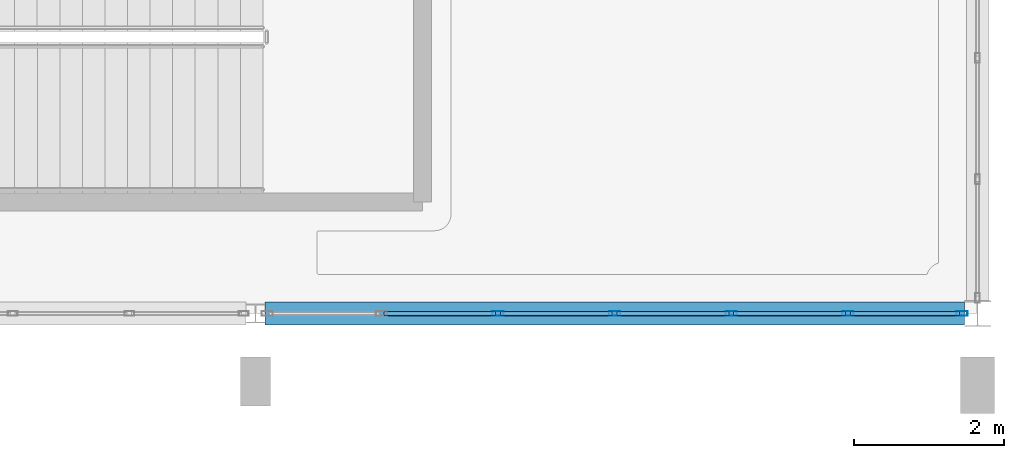
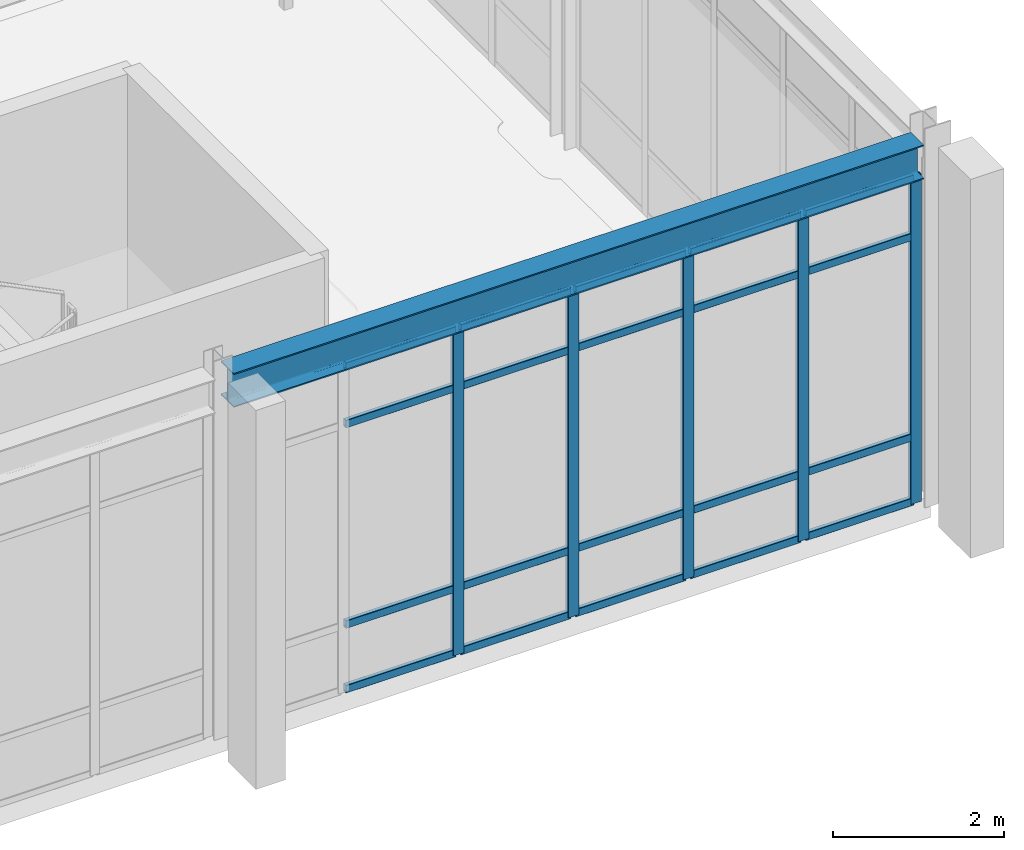
# One storey, part 18 of 80: 25 members, 1 beam, 1 element without a shape of its own.
"""IFC4 building model written with IfcOpenShell, lengths in metres."""

from ifc_helpers import new_model, si_unit, direction, frame, origin, origin_2d, place, context, subcontext, project, spatial, hollow_rectangle, i_section, extrude, material, material_profile, profile_set, type_object, element, aggregate, save


model = new_model("IFC4")

# Units and contexts
model_context = context("Model", 3, precision=1e-05, world=origin(), true_north=direction((0.0, 1.0)))
body_context = subcontext(model_context, "Body", "Model", "MODEL_VIEW")
ifc_project = project(units=[si_unit("LENGTHUNIT", "METRE"), si_unit("AREAUNIT", "SQUARE_METRE"), si_unit("VOLUMEUNIT", "CUBIC_METRE"), si_unit("PLANEANGLEUNIT", "RADIAN"), si_unit("MASSUNIT", "GRAM", prefix="KILO")], contexts=[model_context])

# Site, building, storey
site_placement = place(None, origin())
site = spatial("IfcSite", under=ifc_project, at=site_placement, CompositionType="ELEMENT")
building_placement = place(site_placement, origin())
building = spatial("IfcBuilding", under=site, at=building_placement, Name="Canglan Escarpment Cableway Terminal", CompositionType="ELEMENT")
storey_placement = place(building_placement, frame((0.0, 0.0, 19.199951171875)))
storey = spatial("IfcBuildingStorey", under=building, at=storey_placement, Name="L04", CompositionType="ELEMENT", Elevation=19.199951171875)

# Beam
ifc_material_1 = material(Name="Steel Q355B", Category="steel")
ifc_material_profile_1 = material_profile(ifc_material_1, i_section(OverallWidth=0.300048828125, OverallDepth=0.488037109375, WebThickness=0.010986328125, FlangeThickness=0.01806640625, FilletRadius=0.02587890625, at=origin_2d()), Name="HM 488x300x11x18")
ifc_profile_set_1 = profile_set([ifc_material_profile_1], Name="Steel Q355B")
beam_type = type_object("IfcBeamType", Name="BM-HM488", PredefinedType="BEAM", material=ifc_profile_set_1)
beam_placement = place(storey_placement, frame((156.925048828125, 8.0, 4.916015625), z_axis=(1.0, 0.0, 0.0), x_axis=(0.0, 1.0, 0.0)))
element("IfcBeam", 1, at=beam_placement, inside=storey, type_object=beam_type, Name="Primary structural girder B-09", PredefinedType="BEAM", context=body_context, shape_type="SweptSolid", body=[
    extrude(i_section(OverallWidth=0.300048828125, OverallDepth=0.488037109375, WebThickness=0.010986328125, FlangeThickness=0.01806640625, FilletRadius=0.02587890625, at=origin_2d()), origin(), (0.0, 0.0, 1.0), 9.300048828125),
])

# Curtain wall, members
ifc_material_2 = material(Name="Anodized bronze aluminium and Low-E double glazing", Category="aluminium")
curtain_wall_type = type_object("IfcCurtainWallType", Name="CW-BAY-9300x4650", PredefinedType="NOTDEFINED", material=ifc_material_2)
curtain_wall_placement = place(storey_placement, origin())
curtain_wall = element("IfcCurtainWall", 2, at=curtain_wall_placement, inside=storey, type_object=curtain_wall_type, Name="Classical bay-between-piers glazed curtain wall CW-33", PredefinedType="NOTDEFINED")
ifc_material_3 = material(Name="Thermally broken anodized aluminium 6063-T6", Category="aluminium")
ifc_material_profile_2 = material_profile(ifc_material_3, hollow_rectangle(XDim=0.06494140625, YDim=0.14990234375, WallThickness=0.00341796875, InnerFilletRadius=0.00341796875, OuterFilletRadius=0.007080078125, at=origin_2d()), Name="ALU-MULL 65x150x3.5")
ifc_profile_set_2 = profile_set([ifc_material_profile_2], Name="Thermally broken anodized aluminium 6063-T6")
member_type_1 = type_object("IfcMemberType", Name="CWM-02", PredefinedType="MULLION", material=ifc_profile_set_2)
member_1_placement = place(storey_placement, frame((160.02490234375, 8.0, 0.0), z_axis=(0.0, 0.0, 1.0), x_axis=(0.0, 1.0, 0.0)))
member_1 = element("IfcMember", 3, at=member_1_placement, type_object=member_type_1, Name="CW-33 mullion 3", PredefinedType="MULLION", context=body_context, shape_type="SweptSolid", body=[
    extrude(hollow_rectangle(XDim=0.06494140625, YDim=0.14990234375, WallThickness=0.00341796875, InnerFilletRadius=0.00341796875, OuterFilletRadius=0.007080078125, at=origin_2d()), origin(), (0.0, 0.0, 1.0), 4.656982421875),
])
member_2_placement = place(storey_placement, frame((161.574951171875, 8.0, 0.0), z_axis=(0.0, 0.0, 1.0), x_axis=(0.0, 1.0, 0.0)))
member_2 = element("IfcMember", 4, at=member_2_placement, type_object=member_type_1, Name="CW-33 mullion 4", PredefinedType="MULLION", context=body_context, shape_type="SweptSolid", body=[
    extrude(hollow_rectangle(XDim=0.06494140625, YDim=0.14990234375, WallThickness=0.00341796875, InnerFilletRadius=0.00341796875, OuterFilletRadius=0.007080078125, at=origin_2d()), origin(), (0.0, 0.0, 1.0), 4.656982421875),
])
member_3_placement = place(storey_placement, frame((163.125, 8.0, 0.0), z_axis=(0.0, 0.0, 1.0), x_axis=(0.0, 1.0, 0.0)))
member_3 = element("IfcMember", 5, at=member_3_placement, type_object=member_type_1, Name="CW-33 mullion 5", PredefinedType="MULLION", context=body_context, shape_type="SweptSolid", body=[
    extrude(hollow_rectangle(XDim=0.06494140625, YDim=0.14990234375, WallThickness=0.00341796875, InnerFilletRadius=0.00341796875, OuterFilletRadius=0.007080078125, at=origin_2d()), origin(), (0.0, 0.0, 1.0), 4.656982421875),
])
member_4_placement = place(storey_placement, frame((164.675048828125, 8.0, 0.0), z_axis=(0.0, 0.0, 1.0), x_axis=(0.0, 1.0, 0.0)))
member_4 = element("IfcMember", 6, at=member_4_placement, type_object=member_type_1, Name="CW-33 mullion 6", PredefinedType="MULLION", context=body_context, shape_type="SweptSolid", body=[
    extrude(hollow_rectangle(XDim=0.06494140625, YDim=0.14990234375, WallThickness=0.00341796875, InnerFilletRadius=0.00341796875, OuterFilletRadius=0.007080078125, at=origin_2d()), origin(), (0.0, 0.0, 1.0), 4.656982421875),
])
member_5_placement = place(storey_placement, frame((166.1923828125, 8.0, 0.0), z_axis=(0.0, 0.0, 1.0), x_axis=(0.0, 1.0, 0.0)))
member_5 = element("IfcMember", 7, at=member_5_placement, type_object=member_type_1, Name="CW-33 mullion 7", PredefinedType="MULLION", context=body_context, shape_type="SweptSolid", body=[
    extrude(hollow_rectangle(XDim=0.06494140625, YDim=0.14990234375, WallThickness=0.00341796875, InnerFilletRadius=0.00341796875, OuterFilletRadius=0.007080078125, at=origin_2d()), origin(), (0.0, 0.0, 1.0), 4.656982421875),
])
ifc_material_profile_3 = material_profile(ifc_material_3, hollow_rectangle(XDim=0.06005859375, YDim=0.110107421875, WallThickness=0.0029296875, InnerFilletRadius=0.0029296875, OuterFilletRadius=0.006103515625, at=origin_2d()), Name="ALU-TRAN 60x110x3")
ifc_profile_set_3 = profile_set([ifc_material_profile_3], Name="Thermally broken anodized aluminium 6063-T6")
member_type_2 = type_object("IfcMemberType", Name="CWT-02", PredefinedType="USERDEFINED", material=ifc_profile_set_3)
member_6_placement = place(storey_placement, frame((158.507568359375, 8.0, 0.030029296875), z_axis=(1.0, 0.0, 0.0), x_axis=(0.0, 1.0, 0.0)))
member_6 = element("IfcMember", 8, at=member_6_placement, type_object=member_type_2, Name="CW-33 transom 2.1", ObjectType="TRANSOM", PredefinedType="USERDEFINED", context=body_context, shape_type="SweptSolid", body=[
    extrude(hollow_rectangle(XDim=0.06005859375, YDim=0.110107421875, WallThickness=0.0029296875, InnerFilletRadius=0.0029296875, OuterFilletRadius=0.006103515625, at=origin_2d()), origin(), (0.0, 0.0, 1.0), 1.48486328125),
])
member_7_placement = place(storey_placement, frame((158.507568359375, 8.0, 0.949951171875), z_axis=(1.0, 0.0, 0.0), x_axis=(0.0, 1.0, 0.0)))
member_7 = element("IfcMember", 9, at=member_7_placement, type_object=member_type_2, Name="CW-33 transom 2.2", ObjectType="TRANSOM", PredefinedType="USERDEFINED", context=body_context, shape_type="SweptSolid", body=[
    extrude(hollow_rectangle(XDim=0.06005859375, YDim=0.110107421875, WallThickness=0.0029296875, InnerFilletRadius=0.0029296875, OuterFilletRadius=0.006103515625, at=origin_2d()), origin(), (0.0, 0.0, 1.0), 1.48486328125),
])
member_8_placement = place(storey_placement, frame((158.507568359375, 8.0, 3.80712890625), z_axis=(1.0, 0.0, 0.0), x_axis=(0.0, 1.0, 0.0)))
member_8 = element("IfcMember", 10, at=member_8_placement, type_object=member_type_2, Name="CW-33 transom 2.3", ObjectType="TRANSOM", PredefinedType="USERDEFINED", context=body_context, shape_type="SweptSolid", body=[
    extrude(hollow_rectangle(XDim=0.06005859375, YDim=0.110107421875, WallThickness=0.0029296875, InnerFilletRadius=0.0029296875, OuterFilletRadius=0.006103515625, at=origin_2d()), origin(), (0.0, 0.0, 1.0), 1.48486328125),
])
member_9_placement = place(storey_placement, frame((158.507568359375, 8.0, 4.626953125), z_axis=(1.0, 0.0, 0.0), x_axis=(0.0, 1.0, 0.0)))
member_9 = element("IfcMember", 11, at=member_9_placement, type_object=member_type_2, Name="CW-33 transom 2.4", ObjectType="TRANSOM", PredefinedType="USERDEFINED", context=body_context, shape_type="SweptSolid", body=[
    extrude(hollow_rectangle(XDim=0.06005859375, YDim=0.110107421875, WallThickness=0.0029296875, InnerFilletRadius=0.0029296875, OuterFilletRadius=0.006103515625, at=origin_2d()), origin(), (0.0, 0.0, 1.0), 1.48486328125),
])
member_10_placement = place(storey_placement, frame((160.0576171875, 8.0, 0.030029296875), z_axis=(1.0, 0.0, 0.0), x_axis=(0.0, 1.0, 0.0)))
member_10 = element("IfcMember", 12, at=member_10_placement, type_object=member_type_2, Name="CW-33 transom 3.1", ObjectType="TRANSOM", PredefinedType="USERDEFINED", context=body_context, shape_type="SweptSolid", body=[
    extrude(hollow_rectangle(XDim=0.06005859375, YDim=0.110107421875, WallThickness=0.0029296875, InnerFilletRadius=0.0029296875, OuterFilletRadius=0.006103515625, at=origin_2d()), origin(), (0.0, 0.0, 1.0), 1.48486328125),
])
member_11_placement = place(storey_placement, frame((160.0576171875, 8.0, 0.949951171875), z_axis=(1.0, 0.0, 0.0), x_axis=(0.0, 1.0, 0.0)))
member_11 = element("IfcMember", 13, at=member_11_placement, type_object=member_type_2, Name="CW-33 transom 3.2", ObjectType="TRANSOM", PredefinedType="USERDEFINED", context=body_context, shape_type="SweptSolid", body=[
    extrude(hollow_rectangle(XDim=0.06005859375, YDim=0.110107421875, WallThickness=0.0029296875, InnerFilletRadius=0.0029296875, OuterFilletRadius=0.006103515625, at=origin_2d()), origin(), (0.0, 0.0, 1.0), 1.48486328125),
])
member_12_placement = place(storey_placement, frame((160.0576171875, 8.0, 3.80712890625), z_axis=(1.0, 0.0, 0.0), x_axis=(0.0, 1.0, 0.0)))
member_12 = element("IfcMember", 14, at=member_12_placement, type_object=member_type_2, Name="CW-33 transom 3.3", ObjectType="TRANSOM", PredefinedType="USERDEFINED", context=body_context, shape_type="SweptSolid", body=[
    extrude(hollow_rectangle(XDim=0.06005859375, YDim=0.110107421875, WallThickness=0.0029296875, InnerFilletRadius=0.0029296875, OuterFilletRadius=0.006103515625, at=origin_2d()), origin(), (0.0, 0.0, 1.0), 1.48486328125),
])
member_13_placement = place(storey_placement, frame((160.0576171875, 8.0, 4.626953125), z_axis=(1.0, 0.0, 0.0), x_axis=(0.0, 1.0, 0.0)))
member_13 = element("IfcMember", 15, at=member_13_placement, type_object=member_type_2, Name="CW-33 transom 3.4", ObjectType="TRANSOM", PredefinedType="USERDEFINED", context=body_context, shape_type="SweptSolid", body=[
    extrude(hollow_rectangle(XDim=0.06005859375, YDim=0.110107421875, WallThickness=0.0029296875, InnerFilletRadius=0.0029296875, OuterFilletRadius=0.006103515625, at=origin_2d()), origin(), (0.0, 0.0, 1.0), 1.48486328125),
])
member_14_placement = place(storey_placement, frame((161.607421875, 8.0, 0.030029296875), z_axis=(1.0, 0.0, 0.0), x_axis=(0.0, 1.0, 0.0)))
member_14 = element("IfcMember", 16, at=member_14_placement, type_object=member_type_2, Name="CW-33 transom 4.1", ObjectType="TRANSOM", PredefinedType="USERDEFINED", context=body_context, shape_type="SweptSolid", body=[
    extrude(hollow_rectangle(XDim=0.06005859375, YDim=0.110107421875, WallThickness=0.0029296875, InnerFilletRadius=0.0029296875, OuterFilletRadius=0.006103515625, at=origin_2d()), origin(), (0.0, 0.0, 1.0), 1.485107421875),
])
member_15_placement = place(storey_placement, frame((161.607421875, 8.0, 0.949951171875), z_axis=(1.0, 0.0, 0.0), x_axis=(0.0, 1.0, 0.0)))
member_15 = element("IfcMember", 17, at=member_15_placement, type_object=member_type_2, Name="CW-33 transom 4.2", ObjectType="TRANSOM", PredefinedType="USERDEFINED", context=body_context, shape_type="SweptSolid", body=[
    extrude(hollow_rectangle(XDim=0.06005859375, YDim=0.110107421875, WallThickness=0.0029296875, InnerFilletRadius=0.0029296875, OuterFilletRadius=0.006103515625, at=origin_2d()), origin(), (0.0, 0.0, 1.0), 1.485107421875),
])
member_16_placement = place(storey_placement, frame((161.607421875, 8.0, 3.80712890625), z_axis=(1.0, 0.0, 0.0), x_axis=(0.0, 1.0, 0.0)))
member_16 = element("IfcMember", 18, at=member_16_placement, type_object=member_type_2, Name="CW-33 transom 4.3", ObjectType="TRANSOM", PredefinedType="USERDEFINED", context=body_context, shape_type="SweptSolid", body=[
    extrude(hollow_rectangle(XDim=0.06005859375, YDim=0.110107421875, WallThickness=0.0029296875, InnerFilletRadius=0.0029296875, OuterFilletRadius=0.006103515625, at=origin_2d()), origin(), (0.0, 0.0, 1.0), 1.485107421875),
])
member_17_placement = place(storey_placement, frame((161.607421875, 8.0, 4.626953125), z_axis=(1.0, 0.0, 0.0), x_axis=(0.0, 1.0, 0.0)))
member_17 = element("IfcMember", 19, at=member_17_placement, type_object=member_type_2, Name="CW-33 transom 4.4", ObjectType="TRANSOM", PredefinedType="USERDEFINED", context=body_context, shape_type="SweptSolid", body=[
    extrude(hollow_rectangle(XDim=0.06005859375, YDim=0.110107421875, WallThickness=0.0029296875, InnerFilletRadius=0.0029296875, OuterFilletRadius=0.006103515625, at=origin_2d()), origin(), (0.0, 0.0, 1.0), 1.485107421875),
])
member_18_placement = place(storey_placement, frame((163.157470703125, 8.0, 0.030029296875), z_axis=(1.0, 0.0, 0.0), x_axis=(0.0, 1.0, 0.0)))
member_18 = element("IfcMember", 20, at=member_18_placement, type_object=member_type_2, Name="CW-33 transom 5.1", ObjectType="TRANSOM", PredefinedType="USERDEFINED", context=body_context, shape_type="SweptSolid", body=[
    extrude(hollow_rectangle(XDim=0.06005859375, YDim=0.110107421875, WallThickness=0.0029296875, InnerFilletRadius=0.0029296875, OuterFilletRadius=0.006103515625, at=origin_2d()), origin(), (0.0, 0.0, 1.0), 1.485107421875),
])
member_19_placement = place(storey_placement, frame((163.157470703125, 8.0, 0.949951171875), z_axis=(1.0, 0.0, 0.0), x_axis=(0.0, 1.0, 0.0)))
member_19 = element("IfcMember", 21, at=member_19_placement, type_object=member_type_2, Name="CW-33 transom 5.2", ObjectType="TRANSOM", PredefinedType="USERDEFINED", context=body_context, shape_type="SweptSolid", body=[
    extrude(hollow_rectangle(XDim=0.06005859375, YDim=0.110107421875, WallThickness=0.0029296875, InnerFilletRadius=0.0029296875, OuterFilletRadius=0.006103515625, at=origin_2d()), origin(), (0.0, 0.0, 1.0), 1.485107421875),
])
member_20_placement = place(storey_placement, frame((163.157470703125, 8.0, 3.80712890625), z_axis=(1.0, 0.0, 0.0), x_axis=(0.0, 1.0, 0.0)))
member_20 = element("IfcMember", 22, at=member_20_placement, type_object=member_type_2, Name="CW-33 transom 5.3", ObjectType="TRANSOM", PredefinedType="USERDEFINED", context=body_context, shape_type="SweptSolid", body=[
    extrude(hollow_rectangle(XDim=0.06005859375, YDim=0.110107421875, WallThickness=0.0029296875, InnerFilletRadius=0.0029296875, OuterFilletRadius=0.006103515625, at=origin_2d()), origin(), (0.0, 0.0, 1.0), 1.485107421875),
])
member_21_placement = place(storey_placement, frame((163.157470703125, 8.0, 4.626953125), z_axis=(1.0, 0.0, 0.0), x_axis=(0.0, 1.0, 0.0)))
member_21 = element("IfcMember", 23, at=member_21_placement, type_object=member_type_2, Name="CW-33 transom 5.4", ObjectType="TRANSOM", PredefinedType="USERDEFINED", context=body_context, shape_type="SweptSolid", body=[
    extrude(hollow_rectangle(XDim=0.06005859375, YDim=0.110107421875, WallThickness=0.0029296875, InnerFilletRadius=0.0029296875, OuterFilletRadius=0.006103515625, at=origin_2d()), origin(), (0.0, 0.0, 1.0), 1.485107421875),
])
member_22_placement = place(storey_placement, frame((164.70751953125, 8.0, 0.030029296875), z_axis=(1.0, 0.0, 0.0), x_axis=(0.0, 1.0, 0.0)))
member_22 = element("IfcMember", 24, at=member_22_placement, type_object=member_type_2, Name="CW-33 transom 6.1", ObjectType="TRANSOM", PredefinedType="USERDEFINED", context=body_context, shape_type="SweptSolid", body=[
    extrude(hollow_rectangle(XDim=0.06005859375, YDim=0.110107421875, WallThickness=0.0029296875, InnerFilletRadius=0.0029296875, OuterFilletRadius=0.006103515625, at=origin_2d()), origin(), (0.0, 0.0, 1.0), 1.452392578125),
])
member_23_placement = place(storey_placement, frame((164.70751953125, 8.0, 0.949951171875), z_axis=(1.0, 0.0, 0.0), x_axis=(0.0, 1.0, 0.0)))
member_23 = element("IfcMember", 25, at=member_23_placement, type_object=member_type_2, Name="CW-33 transom 6.2", ObjectType="TRANSOM", PredefinedType="USERDEFINED", context=body_context, shape_type="SweptSolid", body=[
    extrude(hollow_rectangle(XDim=0.06005859375, YDim=0.110107421875, WallThickness=0.0029296875, InnerFilletRadius=0.0029296875, OuterFilletRadius=0.006103515625, at=origin_2d()), origin(), (0.0, 0.0, 1.0), 1.452392578125),
])
member_24_placement = place(storey_placement, frame((164.70751953125, 8.0, 3.80712890625), z_axis=(1.0, 0.0, 0.0), x_axis=(0.0, 1.0, 0.0)))
member_24 = element("IfcMember", 26, at=member_24_placement, type_object=member_type_2, Name="CW-33 transom 6.3", ObjectType="TRANSOM", PredefinedType="USERDEFINED", context=body_context, shape_type="SweptSolid", body=[
    extrude(hollow_rectangle(XDim=0.06005859375, YDim=0.110107421875, WallThickness=0.0029296875, InnerFilletRadius=0.0029296875, OuterFilletRadius=0.006103515625, at=origin_2d()), origin(), (0.0, 0.0, 1.0), 1.452392578125),
])
member_25_placement = place(storey_placement, frame((164.70751953125, 8.0, 4.626953125), z_axis=(1.0, 0.0, 0.0), x_axis=(0.0, 1.0, 0.0)))
member_25 = element("IfcMember", 27, at=member_25_placement, type_object=member_type_2, Name="CW-33 transom 6.4", ObjectType="TRANSOM", PredefinedType="USERDEFINED", context=body_context, shape_type="SweptSolid", body=[
    extrude(hollow_rectangle(XDim=0.06005859375, YDim=0.110107421875, WallThickness=0.0029296875, InnerFilletRadius=0.0029296875, OuterFilletRadius=0.006103515625, at=origin_2d()), origin(), (0.0, 0.0, 1.0), 1.452392578125),
])
aggregate(curtain_wall, [member_1, member_2, member_3, member_4, member_5, member_6, member_7, member_8, member_9, member_10, member_11, member_12, member_13, member_14, member_15, member_16, member_17, member_18, member_19, member_20, member_21, member_22, member_23, member_24, member_25])

save(model, "model.ifc")
